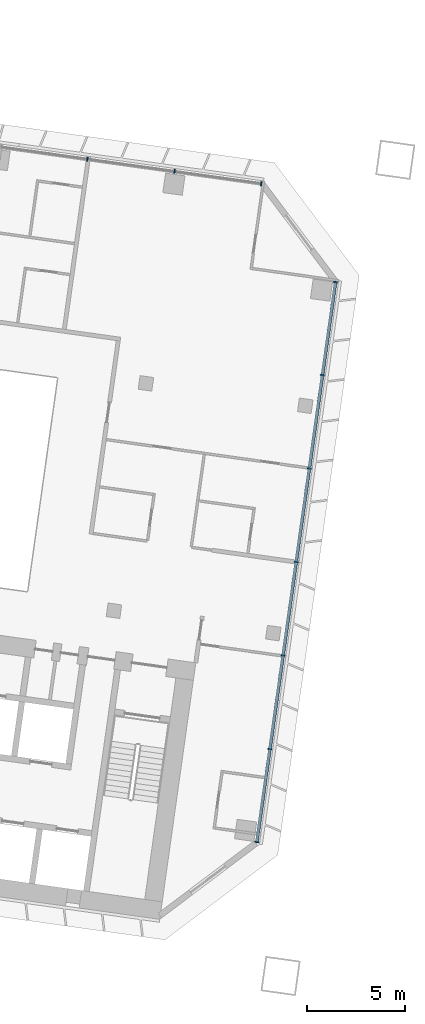
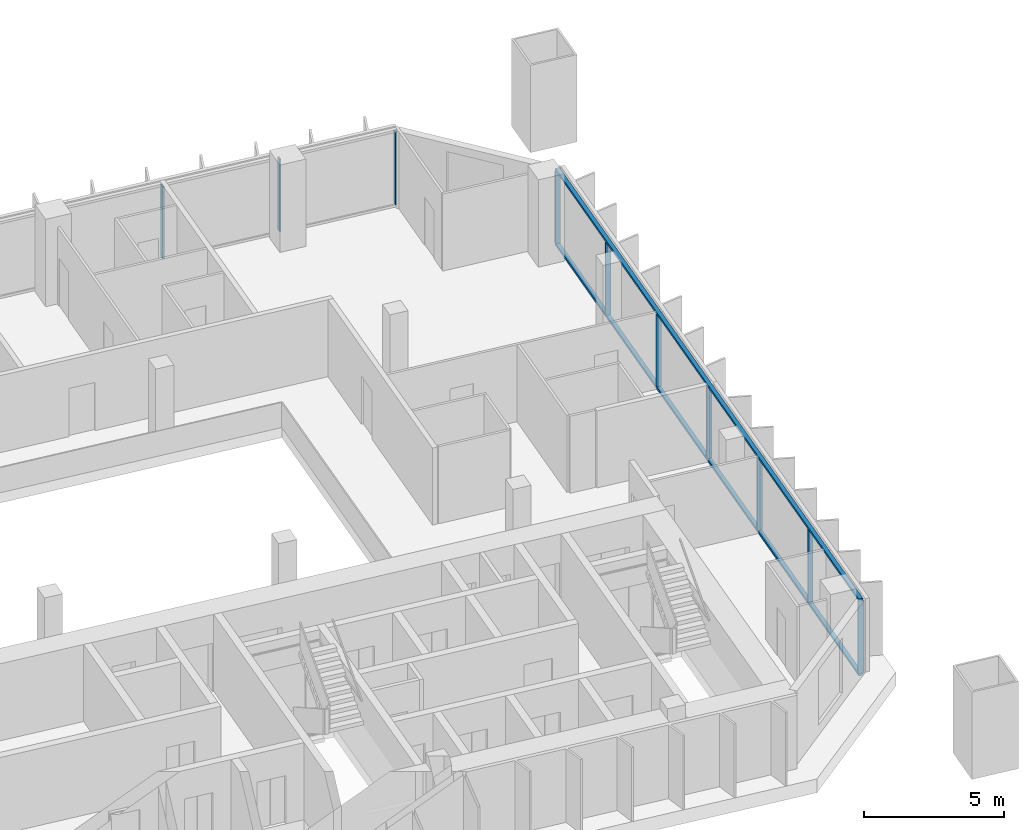
# One storey, part 6 of 25: 12 members, 2 elements without a shape of their own.
"""IFC4 building model written with IfcOpenShell, lengths in metres."""

from ifc_helpers import new_model, si_unit, direction, frame, origin, origin_2d, place, context, subcontext, project, spatial, rectangle, extrude, material, material_profile, profile_set, type_object, element, aggregate, save


model = new_model("IFC4")

# Units and contexts
model_context = context("Model", 3, precision=1e-05, world=origin(), true_north=direction((0.0, 1.0)))
body_context = subcontext(model_context, "Body", "Model", "MODEL_VIEW")
ifc_project = project(units=[si_unit("LENGTHUNIT", "METRE"), si_unit("AREAUNIT", "SQUARE_METRE"), si_unit("VOLUMEUNIT", "CUBIC_METRE"), si_unit("PLANEANGLEUNIT", "RADIAN"), si_unit("MASSUNIT", "GRAM", prefix="KILO")], contexts=[model_context])

# Site, building, storey
site_placement = place(None, origin())
site = spatial("IfcSite", under=ifc_project, at=site_placement, CompositionType="ELEMENT")
building_placement = place(site_placement, origin())
building = spatial("IfcBuilding", under=site, at=building_placement, Name="Mirante Cascada Hotel Towers", CompositionType="ELEMENT")
storey_placement = place(building_placement, frame((0.0, 0.0, 54.7)))
storey = spatial("IfcBuildingStorey", under=building, at=storey_placement, Name="L10", CompositionType="ELEMENT", Elevation=54.7)

# Curtain wall, members
ifc_material_1 = material(Name="Aluminium mullion and transom frame with clear laminated glass", Category="aluminium")
curtain_wall_type_1 = type_object("IfcCurtainWallType", Name="Ribbon curtain wall ECW1", PredefinedType="NOTDEFINED", material=ifc_material_1)
curtain_wall_1_placement = place(storey_placement, origin())
curtain_wall_1 = element("IfcCurtainWall", 1, at=curtain_wall_1_placement, inside=storey, type_object=curtain_wall_type_1, Name="Front ribbon wall T1 L10", PredefinedType="NOTDEFINED")
ifc_material_2 = material(Name="Anodised aluminium extrusion", Category="aluminium")
ifc_material_profile_1 = material_profile(ifc_material_2, rectangle(XDim=0.2, YDim=0.065, at=origin_2d()), Name="ECW1 MULLION 65x200")
ifc_profile_set_1 = profile_set([ifc_material_profile_1], Name="Anodised aluminium extrusion")
member_type_1 = type_object("IfcMemberType", Name="ECW1 mullion 65x200", PredefinedType="MULLION", material=ifc_profile_set_1)
member_1_placement = place(storey_placement, frame((-40.7892, 18.5516, 0.1), z_axis=(0.0, 0.0, 1.0), x_axis=(0.1391731, 0.9902681, 0.0)))
member_1 = element("IfcMember", 2, at=member_1_placement, type_object=member_type_1, Name="ECW1 mullion 13", PredefinedType="MULLION", context=body_context, shape_type="SweptSolid", body=[
    extrude(rectangle(XDim=0.2, YDim=0.065, at=origin_2d()), origin(), (0.0, 0.0, 1.0), 3.15),
])
member_2_placement = place(storey_placement, frame((-36.3417, 17.9265, 0.1), z_axis=(0.0, 0.0, 1.0), x_axis=(0.1391731, 0.9902681, 0.0)))
member_2 = element("IfcMember", 3, at=member_2_placement, type_object=member_type_1, Name="ECW1 mullion 14", PredefinedType="MULLION", context=body_context, shape_type="SweptSolid", body=[
    extrude(rectangle(XDim=0.2, YDim=0.065, at=origin_2d()), origin(), (0.0, 0.0, 1.0), 3.15),
])
member_3_placement = place(storey_placement, frame((-31.9265, 17.306, 0.1), z_axis=(0.0, 0.0, 1.0), x_axis=(0.1391731, 0.9902681, 0.0)))
member_3 = element("IfcMember", 4, at=member_3_placement, type_object=member_type_1, Name="ECW1 mullion 15", PredefinedType="MULLION", context=body_context, shape_type="SweptSolid", body=[
    extrude(rectangle(XDim=0.2, YDim=0.065, at=origin_2d()), origin(), (0.0, 0.0, 1.0), 3.15),
])
aggregate(curtain_wall_1, [member_1, member_2, member_3])

ifc_material_3 = material(Name="Aluminium mullion and transom frame with clear laminated glass", Category="aluminium")
curtain_wall_type_2 = type_object("IfcCurtainWallType", Name="End ribbon curtain wall ECW2", PredefinedType="NOTDEFINED", material=ifc_material_3)
curtain_wall_2_placement = place(storey_placement, origin())
curtain_wall_2 = element("IfcCurtainWall", 5, at=curtain_wall_2_placement, inside=storey, type_object=curtain_wall_type_2, Name="Inner end wall T1 L10", PredefinedType="NOTDEFINED")
ifc_material_4 = material(Name="Anodised aluminium extrusion", Category="aluminium")
ifc_material_profile_2 = material_profile(ifc_material_4, rectangle(XDim=0.2, YDim=0.065, at=origin_2d()), Name="ECW2 MULLION 65x200")
ifc_profile_set_2 = profile_set([ifc_material_profile_2], Name="Anodised aluminium extrusion")
member_type_2 = type_object("IfcMemberType", Name="ECW2 mullion 65x200", PredefinedType="MULLION", material=ifc_profile_set_2)
member_4_placement = place(storey_placement, frame((-28.1437, 12.2861, 0.1), z_axis=(0.0, 0.0, 1.0), x_axis=(0.9902681, -0.1391731, 0.0)))
member_4 = element("IfcMember", 6, at=member_4_placement, type_object=member_type_2, Name="ECW2 mullion 1", PredefinedType="MULLION", context=body_context, shape_type="SweptSolid", body=[
    extrude(rectangle(XDim=0.2, YDim=0.065, at=origin_2d()), origin(), (0.0, 0.0, 1.0), 3.15),
])
member_5_placement = place(storey_placement, frame((-28.809, 7.5524, 0.1), z_axis=(0.0, 0.0, 1.0), x_axis=(0.9902681, -0.1391731, 0.0)))
member_5 = element("IfcMember", 7, at=member_5_placement, type_object=member_type_2, Name="ECW2 mullion 2", PredefinedType="MULLION", context=body_context, shape_type="SweptSolid", body=[
    extrude(rectangle(XDim=0.2, YDim=0.065, at=origin_2d()), origin(), (0.0, 0.0, 1.0), 3.15),
])
member_6_placement = place(storey_placement, frame((-29.4788, 2.7867, 0.1), z_axis=(0.0, 0.0, 1.0), x_axis=(0.9902681, -0.1391731, 0.0)))
member_6 = element("IfcMember", 8, at=member_6_placement, type_object=member_type_2, Name="ECW2 mullion 3", PredefinedType="MULLION", context=body_context, shape_type="SweptSolid", body=[
    extrude(rectangle(XDim=0.2, YDim=0.065, at=origin_2d()), origin(), (0.0, 0.0, 1.0), 3.15),
])
member_7_placement = place(storey_placement, frame((-30.1485, -1.9791, 0.1), z_axis=(0.0, 0.0, 1.0), x_axis=(0.9902681, -0.1391731, 0.0)))
member_7 = element("IfcMember", 9, at=member_7_placement, type_object=member_type_2, Name="ECW2 mullion 4", PredefinedType="MULLION", context=body_context, shape_type="SweptSolid", body=[
    extrude(rectangle(XDim=0.2, YDim=0.065, at=origin_2d()), origin(), (0.0, 0.0, 1.0), 3.15),
])
member_8_placement = place(storey_placement, frame((-30.8183, -6.7449, 0.1), z_axis=(0.0, 0.0, 1.0), x_axis=(0.9902681, -0.1391731, 0.0)))
member_8 = element("IfcMember", 10, at=member_8_placement, type_object=member_type_2, Name="ECW2 mullion 5", PredefinedType="MULLION", context=body_context, shape_type="SweptSolid", body=[
    extrude(rectangle(XDim=0.2, YDim=0.065, at=origin_2d()), origin(), (0.0, 0.0, 1.0), 3.15),
])
member_9_placement = place(storey_placement, frame((-31.4881, -11.5107, 0.1), z_axis=(0.0, 0.0, 1.0), x_axis=(0.9902681, -0.1391731, 0.0)))
member_9 = element("IfcMember", 11, at=member_9_placement, type_object=member_type_2, Name="ECW2 mullion 6", PredefinedType="MULLION", context=body_context, shape_type="SweptSolid", body=[
    extrude(rectangle(XDim=0.2, YDim=0.065, at=origin_2d()), origin(), (0.0, 0.0, 1.0), 3.15),
])
member_10_placement = place(storey_placement, frame((-32.1534, -16.2443, 0.1), z_axis=(0.0, 0.0, 1.0), x_axis=(0.9902681, -0.1391731, 0.0)))
member_10 = element("IfcMember", 12, at=member_10_placement, type_object=member_type_2, Name="ECW2 mullion 7", PredefinedType="MULLION", context=body_context, shape_type="SweptSolid", body=[
    extrude(rectangle(XDim=0.2, YDim=0.065, at=origin_2d()), origin(), (0.0, 0.0, 1.0), 3.15),
])
ifc_material_5 = material(Name="Anodised aluminium extrusion", Category="aluminium")
ifc_material_profile_3 = material_profile(ifc_material_5, rectangle(XDim=0.16, YDim=0.1, at=origin_2d()), Name="ECW2 TRANSOM 100x160")
ifc_profile_set_3 = profile_set([ifc_material_profile_3], Name="Anodised aluminium extrusion")
member_type_3 = type_object("IfcMemberType", Name="ECW2 transom 100x160", PredefinedType="USERDEFINED", material=ifc_profile_set_3)
member_11_placement = place(storey_placement, frame((-28.1392, 12.3182, 0.05), z_axis=(-0.1391723, -0.9902682, 0.0), x_axis=(0.9902682, -0.1391723, 0.0)))
member_11 = element("IfcMember", 13, at=member_11_placement, type_object=member_type_3, Name="ECW2 sill transom", ObjectType="TRANSOM", PredefinedType="USERDEFINED", context=body_context, shape_type="SweptSolid", body=[
    extrude(rectangle(XDim=0.16, YDim=0.1, at=origin_2d()), origin(), (0.0, 0.0, 1.0), 28.8757),
])
member_12_placement = place(storey_placement, frame((-28.1392, 12.3182, 3.3), z_axis=(-0.1391723, -0.9902682, 0.0), x_axis=(0.9902682, -0.1391723, 0.0)))
member_12 = element("IfcMember", 14, at=member_12_placement, type_object=member_type_3, Name="ECW2 head transom", ObjectType="TRANSOM", PredefinedType="USERDEFINED", context=body_context, shape_type="SweptSolid", body=[
    extrude(rectangle(XDim=0.16, YDim=0.1, at=origin_2d()), origin(), (0.0, 0.0, 1.0), 28.8757),
])
aggregate(curtain_wall_2, [member_11, member_12, member_4, member_5, member_6, member_7, member_8, member_9, member_10])

save(model, "model.ifc")
